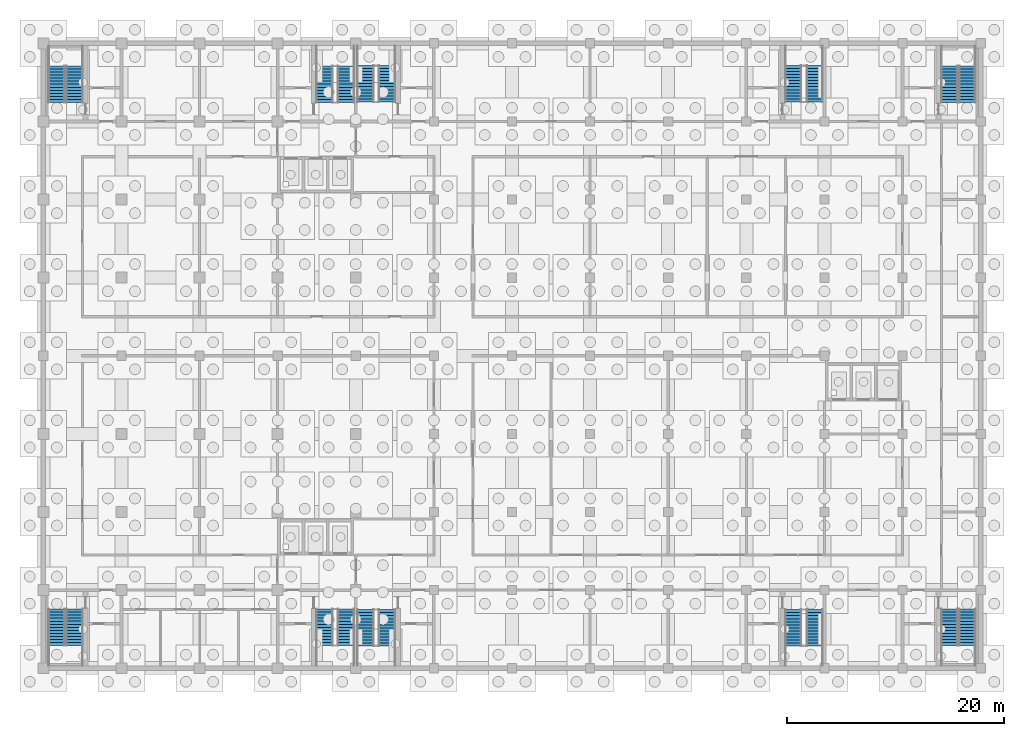
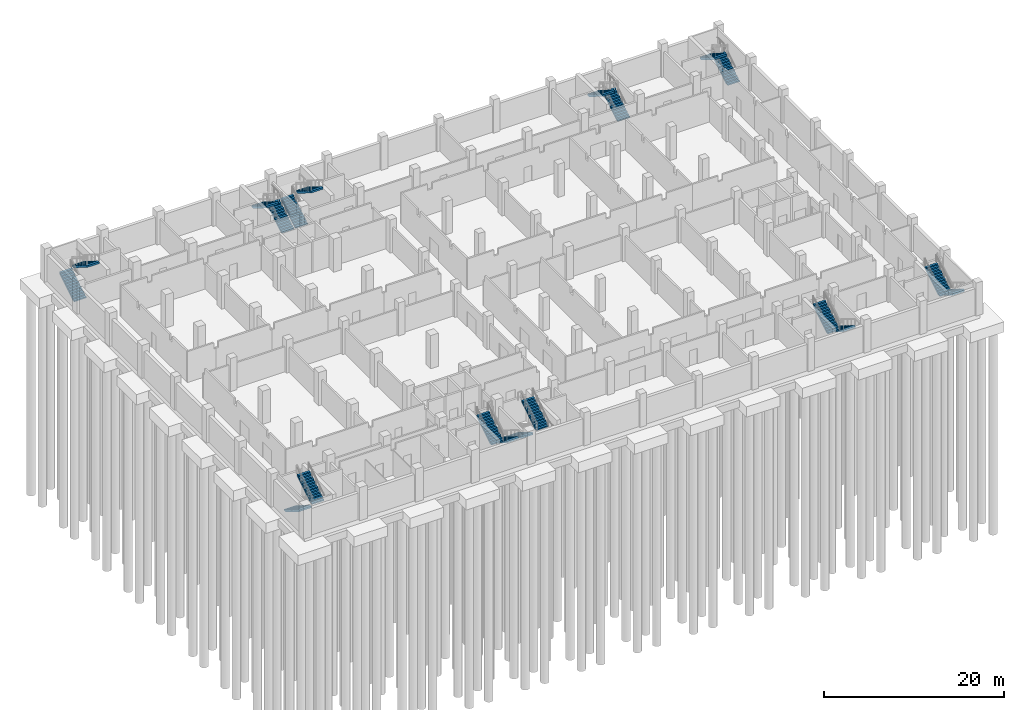
# One storey, part 14 of 19: 20 stair flights, 10 elements without a shape of their own.
"""IFC4 building model written with IfcOpenShell, lengths in metres."""

from ifc_helpers import new_model, si_unit, direction, frame, origin, place, context, subcontext, project, spatial, polyline, outline, extrude, material, type_object, element, aggregate, save


model = new_model("IFC4")

# Units and contexts
model_context = context("Model", 3, precision=1e-05, world=origin(), true_north=direction((0.0, 1.0)))
body_context = subcontext(model_context, "Body", "Model", "MODEL_VIEW")
ifc_project = project(units=[si_unit("LENGTHUNIT", "METRE"), si_unit("AREAUNIT", "SQUARE_METRE"), si_unit("VOLUMEUNIT", "CUBIC_METRE"), si_unit("PLANEANGLEUNIT", "RADIAN"), si_unit("MASSUNIT", "GRAM", prefix="KILO")], contexts=[model_context])

# Site, building, storey
site_placement = place(None, origin())
site = spatial("IfcSite", under=ifc_project, at=site_placement, CompositionType="ELEMENT")
building_placement = place(site_placement, origin())
building = spatial("IfcBuilding", under=site, at=building_placement, Name="Silangan Lancet Faculty of Sciences", CompositionType="ELEMENT")
storey_placement = place(building_placement, frame((0.0, 0.0, -4.5)))
storey = spatial("IfcBuildingStorey", under=building, at=storey_placement, Name="B1", CompositionType="ELEMENT", Elevation=-4.5)

# Stair, stair flights
ifc_material_1 = material(Name="Concrete C40/50", Category="concrete")
stair_type = type_object("IfcStairType", Name="TURRET STAIR 1550 TWO-FLIGHT", PredefinedType="HALF_TURN_STAIR", material=ifc_material_1)
stair_1_placement = place(storey_placement, origin())
stair_1 = element("IfcStair", 1, at=stair_1_placement, inside=storey, type_object=stair_type, Name="EB-A stair B1", PredefinedType="HALF_TURN_STAIR")
ifc_material_2 = material(Name="Concrete C40/50", Category="concrete")
stair_flight_type = type_object("IfcStairFlightType", Name="TURRET STAIR FLIGHT 1550", PredefinedType="STRAIGHT", material=ifc_material_2)
stair_flight_1_placement = place(storey_placement, frame((85.175048828125, 5.449951171875, 0.0), z_axis=(0.0, 0.0, 1.0), x_axis=(0.0, -1.0, 0.0)))
stair_flight_1 = element("IfcStairFlight", 2, at=stair_flight_1_placement, type_object=stair_flight_type, Name="STR9 flight 1", NumberOfRisers=13, NumberOfTreads=12, PredefinedType="STRAIGHT", RiserHeight=0.173076923, TreadLength=0.28, context=body_context, shape_type="SweptSolid", body=[
    extrude(outline(polyline([(0.0, 0.0), (0.0, 0.173095703125), (0.280029296875, 0.173095703125), (0.280029296875, 0.34619140625), (0.56005859375, 0.34619140625), (0.56005859375, 0.519287109375), (0.840087890625, 0.519287109375), (0.840087890625, 0.6923828125), (1.1201171875, 0.6923828125), (1.1201171875, 0.865478515625), (1.39990234375, 0.865478515625), (1.39990234375, 1.03857421875), (1.679931640625, 1.03857421875), (1.679931640625, 1.21142578125), (1.9599609375, 1.21142578125), (1.9599609375, 1.384521484375), (2.239990234375, 1.384521484375), (2.239990234375, 1.5576171875), (2.52001953125, 1.5576171875), (2.52001953125, 1.730712890625), (2.800048828125, 1.730712890625), (2.800048828125, 1.90380859375), (3.080078125, 1.90380859375), (3.080078125, 2.076904296875), (3.360107421875, 2.076904296875), (3.360107421875, 2.25), (3.360107421875, 1.841796875), (0.38037109375, 0.0), (0.0, 0.0)])), frame((0.0, 0.77490234375, 0.0), z_axis=(0.0, -1.0, 0.0), x_axis=(1.0, 0.0, 0.0)), (0.0, 0.0, 1.0), 1.550048828125),
])
stair_flight_2_placement = place(storey_placement, frame((83.52490234375, 2.090087890625, 2.25), z_axis=(0.0, 0.0, 1.0), x_axis=(0.0, 1.0, 0.0)))
stair_flight_2 = element("IfcStairFlight", 3, at=stair_flight_2_placement, type_object=stair_flight_type, Name="STR9 flight 2", NumberOfRisers=13, NumberOfTreads=12, PredefinedType="STRAIGHT", RiserHeight=0.173076923, TreadLength=0.28, context=body_context, shape_type="SweptSolid", body=[
    extrude(outline(polyline([(0.0, 0.0), (0.0, 0.173095703125), (0.280029296875, 0.173095703125), (0.280029296875, 0.34619140625), (0.56005859375, 0.34619140625), (0.56005859375, 0.519287109375), (0.840087890625, 0.519287109375), (0.840087890625, 0.6923828125), (1.1201171875, 0.6923828125), (1.1201171875, 0.865478515625), (1.39990234375, 0.865478515625), (1.39990234375, 1.03857421875), (1.679931640625, 1.03857421875), (1.679931640625, 1.21142578125), (1.9599609375, 1.21142578125), (1.9599609375, 1.384521484375), (2.239990234375, 1.384521484375), (2.239990234375, 1.5576171875), (2.52001953125, 1.5576171875), (2.52001953125, 1.730712890625), (2.800048828125, 1.730712890625), (2.800048828125, 1.90380859375), (3.080078125, 1.90380859375), (3.080078125, 2.076904296875), (3.360107421875, 2.076904296875), (3.360107421875, 2.25), (3.360107421875, 1.841796875), (0.38037109375, 0.0), (0.0, 0.0)])), frame((0.0, 0.77490234375, 0.0), z_axis=(0.0, -1.0, 0.0), x_axis=(1.0, 0.0, 0.0)), (0.0, 0.0, 1.0), 1.550048828125),
])
aggregate(stair_1, [stair_flight_1, stair_flight_2])

stair_2_placement = place(storey_placement, origin())
stair_2 = element("IfcStair", 4, at=stair_2_placement, inside=storey, type_object=stair_type, Name="EB-B stair B1", PredefinedType="HALF_TURN_STAIR")
stair_flight_3_placement = place(storey_placement, frame((85.175048828125, 52.14990234375, 0.0), z_axis=(0.0, 0.0, 1.0), x_axis=(0.0, 1.0, 0.0)))
stair_flight_3 = element("IfcStairFlight", 5, at=stair_flight_3_placement, type_object=stair_flight_type, Name="STR10 flight 1", NumberOfRisers=13, NumberOfTreads=12, PredefinedType="STRAIGHT", RiserHeight=0.173076923, TreadLength=0.28, context=body_context, shape_type="SweptSolid", body=[
    extrude(outline(polyline([(0.0, 0.0), (0.0, 0.173095703125), (0.280029296875, 0.173095703125), (0.280029296875, 0.34619140625), (0.56005859375, 0.34619140625), (0.56005859375, 0.519287109375), (0.840087890625, 0.519287109375), (0.840087890625, 0.6923828125), (1.1201171875, 0.6923828125), (1.1201171875, 0.865478515625), (1.39990234375, 0.865478515625), (1.39990234375, 1.03857421875), (1.679931640625, 1.03857421875), (1.679931640625, 1.21142578125), (1.9599609375, 1.21142578125), (1.9599609375, 1.384521484375), (2.239990234375, 1.384521484375), (2.239990234375, 1.5576171875), (2.52001953125, 1.5576171875), (2.52001953125, 1.730712890625), (2.800048828125, 1.730712890625), (2.800048828125, 1.90380859375), (3.080078125, 1.90380859375), (3.080078125, 2.076904296875), (3.360107421875, 2.076904296875), (3.360107421875, 2.25), (3.360107421875, 1.841796875), (0.38037109375, 0.0), (0.0, 0.0)])), frame((0.0, 0.77490234375, 0.0), z_axis=(0.0, -1.0, 0.0), x_axis=(1.0, 0.0, 0.0)), (0.0, 0.0, 1.0), 1.550048828125),
])
stair_flight_4_placement = place(storey_placement, frame((83.52490234375, 55.510009765625, 2.25), z_axis=(0.0, 0.0, 1.0), x_axis=(0.0, -1.0, 0.0)))
stair_flight_4 = element("IfcStairFlight", 6, at=stair_flight_4_placement, type_object=stair_flight_type, Name="STR10 flight 2", NumberOfRisers=13, NumberOfTreads=12, PredefinedType="STRAIGHT", RiserHeight=0.173076923, TreadLength=0.28, context=body_context, shape_type="SweptSolid", body=[
    extrude(outline(polyline([(0.0, 0.0), (0.0, 0.173095703125), (0.280029296875, 0.173095703125), (0.280029296875, 0.34619140625), (0.56005859375, 0.34619140625), (0.56005859375, 0.519287109375), (0.840087890625, 0.519287109375), (0.840087890625, 0.6923828125), (1.1201171875, 0.6923828125), (1.1201171875, 0.865478515625), (1.39990234375, 0.865478515625), (1.39990234375, 1.03857421875), (1.679931640625, 1.03857421875), (1.679931640625, 1.21142578125), (1.9599609375, 1.21142578125), (1.9599609375, 1.384521484375), (2.239990234375, 1.384521484375), (2.239990234375, 1.5576171875), (2.52001953125, 1.5576171875), (2.52001953125, 1.730712890625), (2.800048828125, 1.730712890625), (2.800048828125, 1.90380859375), (3.080078125, 1.90380859375), (3.080078125, 2.076904296875), (3.360107421875, 2.076904296875), (3.360107421875, 2.25), (3.360107421875, 1.841796875), (0.38037109375, 0.0), (0.0, 0.0)])), frame((0.0, 0.77490234375, 0.0), z_axis=(0.0, -1.0, 0.0), x_axis=(1.0, 0.0, 0.0)), (0.0, 0.0, 1.0), 1.550048828125),
])
aggregate(stair_2, [stair_flight_3, stair_flight_4])

stair_3_placement = place(storey_placement, origin())
stair_3 = element("IfcStair", 7, at=stair_3_placement, inside=storey, type_object=stair_type, Name="NAB-A stair B1", PredefinedType="HALF_TURN_STAIR")
stair_flight_5_placement = place(storey_placement, frame((29.699951171875, 52.199951171875, 0.0), z_axis=(0.0, 0.0, 1.0), x_axis=(0.0, 1.0, 0.0)))
stair_flight_5 = element("IfcStairFlight", 8, at=stair_flight_5_placement, type_object=stair_flight_type, Name="STR7 flight 1", NumberOfRisers=13, NumberOfTreads=12, PredefinedType="STRAIGHT", RiserHeight=0.173076923, TreadLength=0.28, context=body_context, shape_type="SweptSolid", body=[
    extrude(outline(polyline([(0.0, 0.0), (0.0, 0.173095703125), (0.280029296875, 0.173095703125), (0.280029296875, 0.34619140625), (0.56005859375, 0.34619140625), (0.56005859375, 0.519287109375), (0.840087890625, 0.519287109375), (0.840087890625, 0.6923828125), (1.1201171875, 0.6923828125), (1.1201171875, 0.865478515625), (1.39990234375, 0.865478515625), (1.39990234375, 1.03857421875), (1.679931640625, 1.03857421875), (1.679931640625, 1.21142578125), (1.9599609375, 1.21142578125), (1.9599609375, 1.384521484375), (2.239990234375, 1.384521484375), (2.239990234375, 1.5576171875), (2.52001953125, 1.5576171875), (2.52001953125, 1.730712890625), (2.800048828125, 1.730712890625), (2.800048828125, 1.90380859375), (3.080078125, 1.90380859375), (3.080078125, 2.076904296875), (3.360107421875, 2.076904296875), (3.360107421875, 2.25), (3.360107421875, 1.841796875), (0.38037109375, 0.0), (0.0, 0.0)])), frame((0.0, 0.77490234375, 0.0), z_axis=(0.0, -1.0, 0.0), x_axis=(1.0, 0.0, 0.0)), (0.0, 0.0, 1.0), 1.550048828125),
])
stair_flight_6_placement = place(storey_placement, frame((31.675048828125, 55.56005859375, 2.25), z_axis=(0.0, 0.0, 1.0), x_axis=(0.0, -1.0, 0.0)))
stair_flight_6 = element("IfcStairFlight", 9, at=stair_flight_6_placement, type_object=stair_flight_type, Name="STR7 flight 2", NumberOfRisers=13, NumberOfTreads=12, PredefinedType="STRAIGHT", RiserHeight=0.173076923, TreadLength=0.28, context=body_context, shape_type="SweptSolid", body=[
    extrude(outline(polyline([(0.0, 0.0), (0.0, 0.173095703125), (0.280029296875, 0.173095703125), (0.280029296875, 0.34619140625), (0.56005859375, 0.34619140625), (0.56005859375, 0.519287109375), (0.840087890625, 0.519287109375), (0.840087890625, 0.6923828125), (1.1201171875, 0.6923828125), (1.1201171875, 0.865478515625), (1.39990234375, 0.865478515625), (1.39990234375, 1.03857421875), (1.679931640625, 1.03857421875), (1.679931640625, 1.21142578125), (1.9599609375, 1.21142578125), (1.9599609375, 1.384521484375), (2.239990234375, 1.384521484375), (2.239990234375, 1.5576171875), (2.52001953125, 1.5576171875), (2.52001953125, 1.730712890625), (2.800048828125, 1.730712890625), (2.800048828125, 1.90380859375), (3.080078125, 1.90380859375), (3.080078125, 2.076904296875), (3.360107421875, 2.076904296875), (3.360107421875, 2.25), (3.360107421875, 1.841796875), (0.38037109375, 0.0), (0.0, 0.0)])), frame((0.0, 0.77490234375, 0.0), z_axis=(0.0, -1.0, 0.0), x_axis=(1.0, 0.0, 0.0)), (0.0, 0.0, 1.0), 1.550048828125),
])
aggregate(stair_3, [stair_flight_5, stair_flight_6])

stair_4_placement = place(storey_placement, origin())
stair_4 = element("IfcStair", 10, at=stair_4_placement, inside=storey, type_object=stair_type, Name="NAB-B stair B1", PredefinedType="HALF_TURN_STAIR")
stair_flight_7_placement = place(storey_placement, frame((71.10009765625, 52.199951171875, 0.0), z_axis=(0.0, 0.0, 1.0), x_axis=(0.0, 1.0, 0.0)))
stair_flight_7 = element("IfcStairFlight", 11, at=stair_flight_7_placement, type_object=stair_flight_type, Name="STR8 flight 1", NumberOfRisers=13, NumberOfTreads=12, PredefinedType="STRAIGHT", RiserHeight=0.173076923, TreadLength=0.28, context=body_context, shape_type="SweptSolid", body=[
    extrude(outline(polyline([(0.0, 0.0), (0.0, 0.173095703125), (0.280029296875, 0.173095703125), (0.280029296875, 0.34619140625), (0.56005859375, 0.34619140625), (0.56005859375, 0.519287109375), (0.840087890625, 0.519287109375), (0.840087890625, 0.6923828125), (1.1201171875, 0.6923828125), (1.1201171875, 0.865478515625), (1.39990234375, 0.865478515625), (1.39990234375, 1.03857421875), (1.679931640625, 1.03857421875), (1.679931640625, 1.21142578125), (1.9599609375, 1.21142578125), (1.9599609375, 1.384521484375), (2.239990234375, 1.384521484375), (2.239990234375, 1.5576171875), (2.52001953125, 1.5576171875), (2.52001953125, 1.730712890625), (2.800048828125, 1.730712890625), (2.800048828125, 1.90380859375), (3.080078125, 1.90380859375), (3.080078125, 2.076904296875), (3.360107421875, 2.076904296875), (3.360107421875, 2.25), (3.360107421875, 1.841796875), (0.38037109375, 0.0), (0.0, 0.0)])), frame((0.0, 0.77490234375, 0.0), z_axis=(0.0, -1.0, 0.0), x_axis=(1.0, 0.0, 0.0)), (0.0, 0.0, 1.0), 1.550048828125),
])
stair_flight_8_placement = place(storey_placement, frame((69.125, 55.56005859375, 2.25), z_axis=(0.0, 0.0, 1.0), x_axis=(0.0, -1.0, 0.0)))
stair_flight_8 = element("IfcStairFlight", 12, at=stair_flight_8_placement, type_object=stair_flight_type, Name="STR8 flight 2", NumberOfRisers=13, NumberOfTreads=12, PredefinedType="STRAIGHT", RiserHeight=0.173076923, TreadLength=0.28, context=body_context, shape_type="SweptSolid", body=[
    extrude(outline(polyline([(0.0, 0.0), (0.0, 0.173095703125), (0.280029296875, 0.173095703125), (0.280029296875, 0.34619140625), (0.56005859375, 0.34619140625), (0.56005859375, 0.519287109375), (0.840087890625, 0.519287109375), (0.840087890625, 0.6923828125), (1.1201171875, 0.6923828125), (1.1201171875, 0.865478515625), (1.39990234375, 0.865478515625), (1.39990234375, 1.03857421875), (1.679931640625, 1.03857421875), (1.679931640625, 1.21142578125), (1.9599609375, 1.21142578125), (1.9599609375, 1.384521484375), (2.239990234375, 1.384521484375), (2.239990234375, 1.5576171875), (2.52001953125, 1.5576171875), (2.52001953125, 1.730712890625), (2.800048828125, 1.730712890625), (2.800048828125, 1.90380859375), (3.080078125, 1.90380859375), (3.080078125, 2.076904296875), (3.360107421875, 2.076904296875), (3.360107421875, 2.25), (3.360107421875, 1.841796875), (0.38037109375, 0.0), (0.0, 0.0)])), frame((0.0, 0.77490234375, 0.0), z_axis=(0.0, -1.0, 0.0), x_axis=(1.0, 0.0, 0.0)), (0.0, 0.0, 1.0), 1.550048828125),
])
aggregate(stair_4, [stair_flight_7, stair_flight_8])

stair_5_placement = place(storey_placement, origin())
stair_5 = element("IfcStair", 13, at=stair_5_placement, inside=storey, type_object=stair_type, Name="NT-A stair B1", PredefinedType="HALF_TURN_STAIR")
stair_flight_9_placement = place(storey_placement, frame((1.22509765625, 52.14990234375, 0.0), z_axis=(0.0, 0.0, 1.0), x_axis=(0.0, 1.0, 0.0)))
stair_flight_9 = element("IfcStairFlight", 14, at=stair_flight_9_placement, type_object=stair_flight_type, Name="STR3 flight 1", NumberOfRisers=13, NumberOfTreads=12, PredefinedType="STRAIGHT", RiserHeight=0.173076923, TreadLength=0.28, context=body_context, shape_type="SweptSolid", body=[
    extrude(outline(polyline([(0.0, 0.0), (0.0, 0.173095703125), (0.280029296875, 0.173095703125), (0.280029296875, 0.34619140625), (0.56005859375, 0.34619140625), (0.56005859375, 0.519287109375), (0.840087890625, 0.519287109375), (0.840087890625, 0.6923828125), (1.1201171875, 0.6923828125), (1.1201171875, 0.865478515625), (1.39990234375, 0.865478515625), (1.39990234375, 1.03857421875), (1.679931640625, 1.03857421875), (1.679931640625, 1.21142578125), (1.9599609375, 1.21142578125), (1.9599609375, 1.384521484375), (2.239990234375, 1.384521484375), (2.239990234375, 1.5576171875), (2.52001953125, 1.5576171875), (2.52001953125, 1.730712890625), (2.800048828125, 1.730712890625), (2.800048828125, 1.90380859375), (3.080078125, 1.90380859375), (3.080078125, 2.076904296875), (3.360107421875, 2.076904296875), (3.360107421875, 2.25), (3.360107421875, 1.841796875), (0.38037109375, 0.0), (0.0, 0.0)])), frame((0.0, 0.77490234375, 0.0), z_axis=(0.0, -1.0, 0.0), x_axis=(1.0, 0.0, 0.0)), (0.0, 0.0, 1.0), 1.550048828125),
])
stair_flight_10_placement = place(storey_placement, frame((2.875, 55.510009765625, 2.25), z_axis=(0.0, 0.0, 1.0), x_axis=(0.0, -1.0, 0.0)))
stair_flight_10 = element("IfcStairFlight", 15, at=stair_flight_10_placement, type_object=stair_flight_type, Name="STR3 flight 2", NumberOfRisers=13, NumberOfTreads=12, PredefinedType="STRAIGHT", RiserHeight=0.173076923, TreadLength=0.28, context=body_context, shape_type="SweptSolid", body=[
    extrude(outline(polyline([(0.0, 0.0), (0.0, 0.173095703125), (0.280029296875, 0.173095703125), (0.280029296875, 0.34619140625), (0.56005859375, 0.34619140625), (0.56005859375, 0.519287109375), (0.840087890625, 0.519287109375), (0.840087890625, 0.6923828125), (1.1201171875, 0.6923828125), (1.1201171875, 0.865478515625), (1.39990234375, 0.865478515625), (1.39990234375, 1.03857421875), (1.679931640625, 1.03857421875), (1.679931640625, 1.21142578125), (1.9599609375, 1.21142578125), (1.9599609375, 1.384521484375), (2.239990234375, 1.384521484375), (2.239990234375, 1.5576171875), (2.52001953125, 1.5576171875), (2.52001953125, 1.730712890625), (2.800048828125, 1.730712890625), (2.800048828125, 1.90380859375), (3.080078125, 1.90380859375), (3.080078125, 2.076904296875), (3.360107421875, 2.076904296875), (3.360107421875, 2.25), (3.360107421875, 1.841796875), (0.38037109375, 0.0), (0.0, 0.0)])), frame((0.0, 0.77490234375, 0.0), z_axis=(0.0, -1.0, 0.0), x_axis=(1.0, 0.0, 0.0)), (0.0, 0.0, 1.0), 1.550048828125),
])
aggregate(stair_5, [stair_flight_9, stair_flight_10])

stair_6_placement = place(storey_placement, origin())
stair_6 = element("IfcStair", 16, at=stair_6_placement, inside=storey, type_object=stair_type, Name="NT-B stair B1", PredefinedType="HALF_TURN_STAIR")
stair_flight_11_placement = place(storey_placement, frame((27.89990234375, 52.14990234375, 0.0), z_axis=(0.0, 0.0, 1.0), x_axis=(0.0, 1.0, 0.0)))
stair_flight_11 = element("IfcStairFlight", 17, at=stair_flight_11_placement, type_object=stair_flight_type, Name="STR4 flight 1", NumberOfRisers=13, NumberOfTreads=12, PredefinedType="STRAIGHT", RiserHeight=0.173076923, TreadLength=0.28, context=body_context, shape_type="SweptSolid", body=[
    extrude(outline(polyline([(0.0, 0.0), (0.0, 0.173095703125), (0.280029296875, 0.173095703125), (0.280029296875, 0.34619140625), (0.56005859375, 0.34619140625), (0.56005859375, 0.519287109375), (0.840087890625, 0.519287109375), (0.840087890625, 0.6923828125), (1.1201171875, 0.6923828125), (1.1201171875, 0.865478515625), (1.39990234375, 0.865478515625), (1.39990234375, 1.03857421875), (1.679931640625, 1.03857421875), (1.679931640625, 1.21142578125), (1.9599609375, 1.21142578125), (1.9599609375, 1.384521484375), (2.239990234375, 1.384521484375), (2.239990234375, 1.5576171875), (2.52001953125, 1.5576171875), (2.52001953125, 1.730712890625), (2.800048828125, 1.730712890625), (2.800048828125, 1.90380859375), (3.080078125, 1.90380859375), (3.080078125, 2.076904296875), (3.360107421875, 2.076904296875), (3.360107421875, 2.25), (3.360107421875, 1.841796875), (0.38037109375, 0.0), (0.0, 0.0)])), frame((0.0, 0.77490234375, 0.0), z_axis=(0.0, -1.0, 0.0), x_axis=(1.0, 0.0, 0.0)), (0.0, 0.0, 1.0), 1.550048828125),
])
stair_flight_12_placement = place(storey_placement, frame((25.925048828125, 55.510009765625, 2.25), z_axis=(0.0, 0.0, 1.0), x_axis=(0.0, -1.0, 0.0)))
stair_flight_12 = element("IfcStairFlight", 18, at=stair_flight_12_placement, type_object=stair_flight_type, Name="STR4 flight 2", NumberOfRisers=13, NumberOfTreads=12, PredefinedType="STRAIGHT", RiserHeight=0.173076923, TreadLength=0.28, context=body_context, shape_type="SweptSolid", body=[
    extrude(outline(polyline([(0.0, 0.0), (0.0, 0.173095703125), (0.280029296875, 0.173095703125), (0.280029296875, 0.34619140625), (0.56005859375, 0.34619140625), (0.56005859375, 0.519287109375), (0.840087890625, 0.519287109375), (0.840087890625, 0.6923828125), (1.1201171875, 0.6923828125), (1.1201171875, 0.865478515625), (1.39990234375, 0.865478515625), (1.39990234375, 1.03857421875), (1.679931640625, 1.03857421875), (1.679931640625, 1.21142578125), (1.9599609375, 1.21142578125), (1.9599609375, 1.384521484375), (2.239990234375, 1.384521484375), (2.239990234375, 1.5576171875), (2.52001953125, 1.5576171875), (2.52001953125, 1.730712890625), (2.800048828125, 1.730712890625), (2.800048828125, 1.90380859375), (3.080078125, 1.90380859375), (3.080078125, 2.076904296875), (3.360107421875, 2.076904296875), (3.360107421875, 2.25), (3.360107421875, 1.841796875), (0.38037109375, 0.0), (0.0, 0.0)])), frame((0.0, 0.77490234375, 0.0), z_axis=(0.0, -1.0, 0.0), x_axis=(1.0, 0.0, 0.0)), (0.0, 0.0, 1.0), 1.550048828125),
])
aggregate(stair_6, [stair_flight_11, stair_flight_12])

stair_7_placement = place(storey_placement, origin())
stair_7 = element("IfcStair", 19, at=stair_7_placement, inside=storey, type_object=stair_type, Name="SAB-A stair B1", PredefinedType="HALF_TURN_STAIR")
stair_flight_13_placement = place(storey_placement, frame((29.699951171875, 5.39990234375, 0.0), z_axis=(0.0, 0.0, 1.0), x_axis=(0.0, -1.0, 0.0)))
stair_flight_13 = element("IfcStairFlight", 20, at=stair_flight_13_placement, type_object=stair_flight_type, Name="STR5 flight 1", NumberOfRisers=13, NumberOfTreads=12, PredefinedType="STRAIGHT", RiserHeight=0.173076923, TreadLength=0.28, context=body_context, shape_type="SweptSolid", body=[
    extrude(outline(polyline([(0.0, 0.0), (0.0, 0.173095703125), (0.280029296875, 0.173095703125), (0.280029296875, 0.34619140625), (0.56005859375, 0.34619140625), (0.56005859375, 0.519287109375), (0.840087890625, 0.519287109375), (0.840087890625, 0.6923828125), (1.1201171875, 0.6923828125), (1.1201171875, 0.865478515625), (1.39990234375, 0.865478515625), (1.39990234375, 1.03857421875), (1.679931640625, 1.03857421875), (1.679931640625, 1.21142578125), (1.9599609375, 1.21142578125), (1.9599609375, 1.384521484375), (2.239990234375, 1.384521484375), (2.239990234375, 1.5576171875), (2.52001953125, 1.5576171875), (2.52001953125, 1.730712890625), (2.800048828125, 1.730712890625), (2.800048828125, 1.90380859375), (3.080078125, 1.90380859375), (3.080078125, 2.076904296875), (3.360107421875, 2.076904296875), (3.360107421875, 2.25), (3.360107421875, 1.841796875), (0.38037109375, 0.0), (0.0, 0.0)])), frame((0.0, 0.77490234375, 0.0), z_axis=(0.0, -1.0, 0.0), x_axis=(1.0, 0.0, 0.0)), (0.0, 0.0, 1.0), 1.550048828125),
])
stair_flight_14_placement = place(storey_placement, frame((31.675048828125, 2.0400390625, 2.25), z_axis=(0.0, 0.0, 1.0), x_axis=(0.0, 1.0, 0.0)))
stair_flight_14 = element("IfcStairFlight", 21, at=stair_flight_14_placement, type_object=stair_flight_type, Name="STR5 flight 2", NumberOfRisers=13, NumberOfTreads=12, PredefinedType="STRAIGHT", RiserHeight=0.173076923, TreadLength=0.28, context=body_context, shape_type="SweptSolid", body=[
    extrude(outline(polyline([(0.0, 0.0), (0.0, 0.173095703125), (0.280029296875, 0.173095703125), (0.280029296875, 0.34619140625), (0.56005859375, 0.34619140625), (0.56005859375, 0.519287109375), (0.840087890625, 0.519287109375), (0.840087890625, 0.6923828125), (1.1201171875, 0.6923828125), (1.1201171875, 0.865478515625), (1.39990234375, 0.865478515625), (1.39990234375, 1.03857421875), (1.679931640625, 1.03857421875), (1.679931640625, 1.21142578125), (1.9599609375, 1.21142578125), (1.9599609375, 1.384521484375), (2.239990234375, 1.384521484375), (2.239990234375, 1.5576171875), (2.52001953125, 1.5576171875), (2.52001953125, 1.730712890625), (2.800048828125, 1.730712890625), (2.800048828125, 1.90380859375), (3.080078125, 1.90380859375), (3.080078125, 2.076904296875), (3.360107421875, 2.076904296875), (3.360107421875, 2.25), (3.360107421875, 1.841796875), (0.38037109375, 0.0), (0.0, 0.0)])), frame((0.0, 0.77490234375, 0.0), z_axis=(0.0, -1.0, 0.0), x_axis=(1.0, 0.0, 0.0)), (0.0, 0.0, 1.0), 1.550048828125),
])
aggregate(stair_7, [stair_flight_13, stair_flight_14])

stair_8_placement = place(storey_placement, origin())
stair_8 = element("IfcStair", 22, at=stair_8_placement, inside=storey, type_object=stair_type, Name="SAB-B stair B1", PredefinedType="HALF_TURN_STAIR")
stair_flight_15_placement = place(storey_placement, frame((71.10009765625, 5.39990234375, 0.0), z_axis=(0.0, 0.0, 1.0), x_axis=(0.0, -1.0, 0.0)))
stair_flight_15 = element("IfcStairFlight", 23, at=stair_flight_15_placement, type_object=stair_flight_type, Name="STR6 flight 1", NumberOfRisers=13, NumberOfTreads=12, PredefinedType="STRAIGHT", RiserHeight=0.173076923, TreadLength=0.28, context=body_context, shape_type="SweptSolid", body=[
    extrude(outline(polyline([(0.0, 0.0), (0.0, 0.173095703125), (0.280029296875, 0.173095703125), (0.280029296875, 0.34619140625), (0.56005859375, 0.34619140625), (0.56005859375, 0.519287109375), (0.840087890625, 0.519287109375), (0.840087890625, 0.6923828125), (1.1201171875, 0.6923828125), (1.1201171875, 0.865478515625), (1.39990234375, 0.865478515625), (1.39990234375, 1.03857421875), (1.679931640625, 1.03857421875), (1.679931640625, 1.21142578125), (1.9599609375, 1.21142578125), (1.9599609375, 1.384521484375), (2.239990234375, 1.384521484375), (2.239990234375, 1.5576171875), (2.52001953125, 1.5576171875), (2.52001953125, 1.730712890625), (2.800048828125, 1.730712890625), (2.800048828125, 1.90380859375), (3.080078125, 1.90380859375), (3.080078125, 2.076904296875), (3.360107421875, 2.076904296875), (3.360107421875, 2.25), (3.360107421875, 1.841796875), (0.38037109375, 0.0), (0.0, 0.0)])), frame((0.0, 0.77490234375, 0.0), z_axis=(0.0, -1.0, 0.0), x_axis=(1.0, 0.0, 0.0)), (0.0, 0.0, 1.0), 1.550048828125),
])
stair_flight_16_placement = place(storey_placement, frame((69.125, 2.0400390625, 2.25), z_axis=(0.0, 0.0, 1.0), x_axis=(0.0, 1.0, 0.0)))
stair_flight_16 = element("IfcStairFlight", 24, at=stair_flight_16_placement, type_object=stair_flight_type, Name="STR6 flight 2", NumberOfRisers=13, NumberOfTreads=12, PredefinedType="STRAIGHT", RiserHeight=0.173076923, TreadLength=0.28, context=body_context, shape_type="SweptSolid", body=[
    extrude(outline(polyline([(0.0, 0.0), (0.0, 0.173095703125), (0.280029296875, 0.173095703125), (0.280029296875, 0.34619140625), (0.56005859375, 0.34619140625), (0.56005859375, 0.519287109375), (0.840087890625, 0.519287109375), (0.840087890625, 0.6923828125), (1.1201171875, 0.6923828125), (1.1201171875, 0.865478515625), (1.39990234375, 0.865478515625), (1.39990234375, 1.03857421875), (1.679931640625, 1.03857421875), (1.679931640625, 1.21142578125), (1.9599609375, 1.21142578125), (1.9599609375, 1.384521484375), (2.239990234375, 1.384521484375), (2.239990234375, 1.5576171875), (2.52001953125, 1.5576171875), (2.52001953125, 1.730712890625), (2.800048828125, 1.730712890625), (2.800048828125, 1.90380859375), (3.080078125, 1.90380859375), (3.080078125, 2.076904296875), (3.360107421875, 2.076904296875), (3.360107421875, 2.25), (3.360107421875, 1.841796875), (0.38037109375, 0.0), (0.0, 0.0)])), frame((0.0, 0.77490234375, 0.0), z_axis=(0.0, -1.0, 0.0), x_axis=(1.0, 0.0, 0.0)), (0.0, 0.0, 1.0), 1.550048828125),
])
aggregate(stair_8, [stair_flight_15, stair_flight_16])

stair_9_placement = place(storey_placement, origin())
stair_9 = element("IfcStair", 25, at=stair_9_placement, inside=storey, type_object=stair_type, Name="ST-A stair B1", PredefinedType="HALF_TURN_STAIR")
stair_flight_17_placement = place(storey_placement, frame((1.22509765625, 5.449951171875, 0.0), z_axis=(0.0, 0.0, 1.0), x_axis=(0.0, -1.0, 0.0)))
stair_flight_17 = element("IfcStairFlight", 26, at=stair_flight_17_placement, type_object=stair_flight_type, Name="STR1 flight 1", NumberOfRisers=13, NumberOfTreads=12, PredefinedType="STRAIGHT", RiserHeight=0.173076923, TreadLength=0.28, context=body_context, shape_type="SweptSolid", body=[
    extrude(outline(polyline([(0.0, 0.0), (0.0, 0.173095703125), (0.280029296875, 0.173095703125), (0.280029296875, 0.34619140625), (0.56005859375, 0.34619140625), (0.56005859375, 0.519287109375), (0.840087890625, 0.519287109375), (0.840087890625, 0.6923828125), (1.1201171875, 0.6923828125), (1.1201171875, 0.865478515625), (1.39990234375, 0.865478515625), (1.39990234375, 1.03857421875), (1.679931640625, 1.03857421875), (1.679931640625, 1.21142578125), (1.9599609375, 1.21142578125), (1.9599609375, 1.384521484375), (2.239990234375, 1.384521484375), (2.239990234375, 1.5576171875), (2.52001953125, 1.5576171875), (2.52001953125, 1.730712890625), (2.800048828125, 1.730712890625), (2.800048828125, 1.90380859375), (3.080078125, 1.90380859375), (3.080078125, 2.076904296875), (3.360107421875, 2.076904296875), (3.360107421875, 2.25), (3.360107421875, 1.841796875), (0.38037109375, 0.0), (0.0, 0.0)])), frame((0.0, 0.77490234375, 0.0), z_axis=(0.0, -1.0, 0.0), x_axis=(1.0, 0.0, 0.0)), (0.0, 0.0, 1.0), 1.550048828125),
])
stair_flight_18_placement = place(storey_placement, frame((2.875, 2.090087890625, 2.25), z_axis=(0.0, 0.0, 1.0), x_axis=(0.0, 1.0, 0.0)))
stair_flight_18 = element("IfcStairFlight", 27, at=stair_flight_18_placement, type_object=stair_flight_type, Name="STR1 flight 2", NumberOfRisers=13, NumberOfTreads=12, PredefinedType="STRAIGHT", RiserHeight=0.173076923, TreadLength=0.28, context=body_context, shape_type="SweptSolid", body=[
    extrude(outline(polyline([(0.0, 0.0), (0.0, 0.173095703125), (0.280029296875, 0.173095703125), (0.280029296875, 0.34619140625), (0.56005859375, 0.34619140625), (0.56005859375, 0.519287109375), (0.840087890625, 0.519287109375), (0.840087890625, 0.6923828125), (1.1201171875, 0.6923828125), (1.1201171875, 0.865478515625), (1.39990234375, 0.865478515625), (1.39990234375, 1.03857421875), (1.679931640625, 1.03857421875), (1.679931640625, 1.21142578125), (1.9599609375, 1.21142578125), (1.9599609375, 1.384521484375), (2.239990234375, 1.384521484375), (2.239990234375, 1.5576171875), (2.52001953125, 1.5576171875), (2.52001953125, 1.730712890625), (2.800048828125, 1.730712890625), (2.800048828125, 1.90380859375), (3.080078125, 1.90380859375), (3.080078125, 2.076904296875), (3.360107421875, 2.076904296875), (3.360107421875, 2.25), (3.360107421875, 1.841796875), (0.38037109375, 0.0), (0.0, 0.0)])), frame((0.0, 0.77490234375, 0.0), z_axis=(0.0, -1.0, 0.0), x_axis=(1.0, 0.0, 0.0)), (0.0, 0.0, 1.0), 1.550048828125),
])
aggregate(stair_9, [stair_flight_17, stair_flight_18])

stair_10_placement = place(storey_placement, origin())
stair_10 = element("IfcStair", 28, at=stair_10_placement, inside=storey, type_object=stair_type, Name="ST-B stair B1", PredefinedType="HALF_TURN_STAIR")
stair_flight_19_placement = place(storey_placement, frame((27.89990234375, 5.449951171875, 0.0), z_axis=(0.0, 0.0, 1.0), x_axis=(0.0, -1.0, 0.0)))
stair_flight_19 = element("IfcStairFlight", 29, at=stair_flight_19_placement, type_object=stair_flight_type, Name="STR2 flight 1", NumberOfRisers=13, NumberOfTreads=12, PredefinedType="STRAIGHT", RiserHeight=0.173076923, TreadLength=0.28, context=body_context, shape_type="SweptSolid", body=[
    extrude(outline(polyline([(0.0, 0.0), (0.0, 0.173095703125), (0.280029296875, 0.173095703125), (0.280029296875, 0.34619140625), (0.56005859375, 0.34619140625), (0.56005859375, 0.519287109375), (0.840087890625, 0.519287109375), (0.840087890625, 0.6923828125), (1.1201171875, 0.6923828125), (1.1201171875, 0.865478515625), (1.39990234375, 0.865478515625), (1.39990234375, 1.03857421875), (1.679931640625, 1.03857421875), (1.679931640625, 1.21142578125), (1.9599609375, 1.21142578125), (1.9599609375, 1.384521484375), (2.239990234375, 1.384521484375), (2.239990234375, 1.5576171875), (2.52001953125, 1.5576171875), (2.52001953125, 1.730712890625), (2.800048828125, 1.730712890625), (2.800048828125, 1.90380859375), (3.080078125, 1.90380859375), (3.080078125, 2.076904296875), (3.360107421875, 2.076904296875), (3.360107421875, 2.25), (3.360107421875, 1.841796875), (0.38037109375, 0.0), (0.0, 0.0)])), frame((0.0, 0.77490234375, 0.0), z_axis=(0.0, -1.0, 0.0), x_axis=(1.0, 0.0, 0.0)), (0.0, 0.0, 1.0), 1.550048828125),
])
stair_flight_20_placement = place(storey_placement, frame((25.925048828125, 2.090087890625, 2.25), z_axis=(0.0, 0.0, 1.0), x_axis=(0.0, 1.0, 0.0)))
stair_flight_20 = element("IfcStairFlight", 30, at=stair_flight_20_placement, type_object=stair_flight_type, Name="STR2 flight 2", NumberOfRisers=13, NumberOfTreads=12, PredefinedType="STRAIGHT", RiserHeight=0.173076923, TreadLength=0.28, context=body_context, shape_type="SweptSolid", body=[
    extrude(outline(polyline([(0.0, 0.0), (0.0, 0.173095703125), (0.280029296875, 0.173095703125), (0.280029296875, 0.34619140625), (0.56005859375, 0.34619140625), (0.56005859375, 0.519287109375), (0.840087890625, 0.519287109375), (0.840087890625, 0.6923828125), (1.1201171875, 0.6923828125), (1.1201171875, 0.865478515625), (1.39990234375, 0.865478515625), (1.39990234375, 1.03857421875), (1.679931640625, 1.03857421875), (1.679931640625, 1.21142578125), (1.9599609375, 1.21142578125), (1.9599609375, 1.384521484375), (2.239990234375, 1.384521484375), (2.239990234375, 1.5576171875), (2.52001953125, 1.5576171875), (2.52001953125, 1.730712890625), (2.800048828125, 1.730712890625), (2.800048828125, 1.90380859375), (3.080078125, 1.90380859375), (3.080078125, 2.076904296875), (3.360107421875, 2.076904296875), (3.360107421875, 2.25), (3.360107421875, 1.841796875), (0.38037109375, 0.0), (0.0, 0.0)])), frame((0.0, 0.77490234375, 0.0), z_axis=(0.0, -1.0, 0.0), x_axis=(1.0, 0.0, 0.0)), (0.0, 0.0, 1.0), 1.550048828125),
])
aggregate(stair_10, [stair_flight_19, stair_flight_20])

save(model, "model.ifc")
